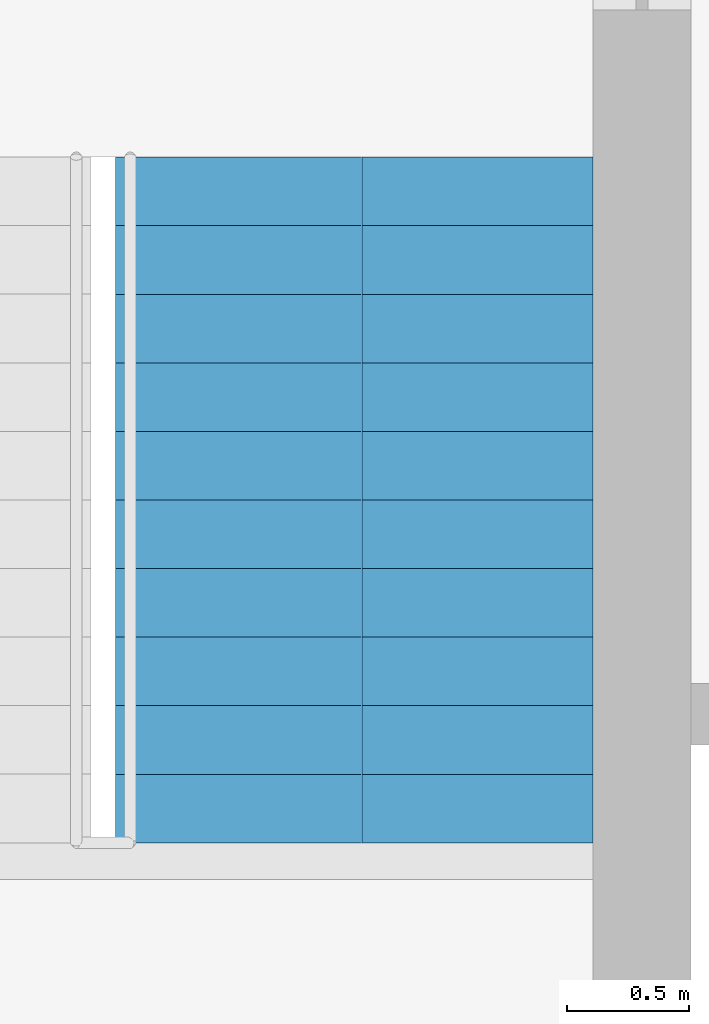
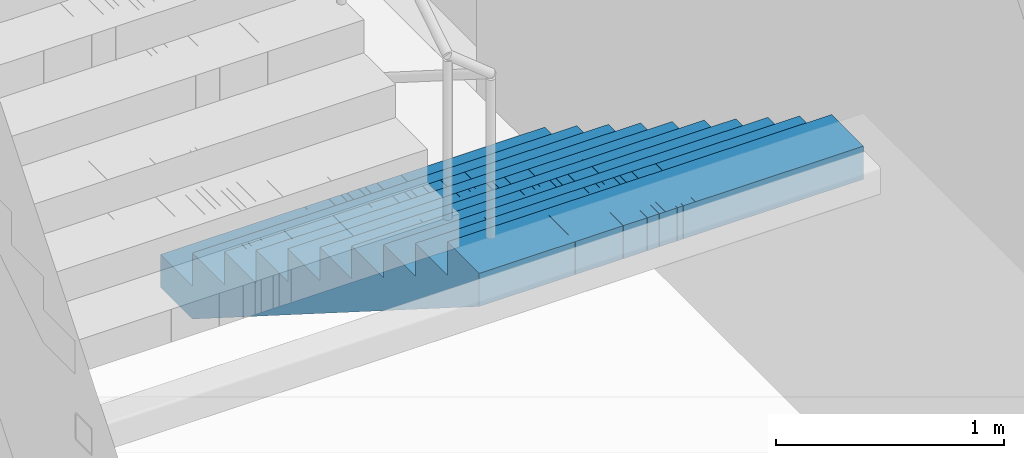
# One storey, part 19 of 20: 1 stair flight, 1 element without a shape of its own.
"""IFC4 building model written with IfcOpenShell, lengths in metres."""

import ifcopenshell
import ifcopenshell.guid

model = None  # the IFC model being written
_history = None  # IfcOwnerHistory: only IFC2X3 demands one
_inside = {}  # id of a spatial element -> (the spatial element, [elements in it])
_under = {}  # id of a project, library or spatial element -> (it, [spatial elements below it])
_declared = {}  # id of a project -> (the project, [libraries it declares])
_typed = {}  # id of a type object -> (the type object, [elements of that type])
_made_of = {}  # id of a material, layer set ... -> (it, [elements and type objects made of it])


def new_model(schema):
    """Start an empty IFC model of exactly this schema.

    Asked for "IFC4X3", IfcOpenShell would pick the latest addendum, in which some entities
    have other attributes; the version numbers below select the first issue.
    IFC2X3 requires an IfcOwnerHistory on every rooted entity: one is made here for all.
    """
    global model, _history
    if schema == "IFC4X3":
        model = ifcopenshell.file(schema_version=(4, 3, 0, 0))
    else:
        model = ifcopenshell.file(schema=schema)
    _inside.clear()
    _under.clear()
    _declared.clear()
    _typed.clear()
    _made_of.clear()
    _history = None
    if model.schema == "IFC2X3":
        org = make("IfcOrganization", Name="unknown")
        user = make(
            "IfcPersonAndOrganization",
            ThePerson=make("IfcPerson", FamilyName="unknown"),
            TheOrganization=org,
        )
        app = make(
            "IfcApplication",
            ApplicationDeveloper=org,
            Version="unknown",
            ApplicationFullName="unknown",
            ApplicationIdentifier="unknown",
        )
        _history = make(
            "IfcOwnerHistory",
            OwningUser=user,
            OwningApplication=app,
            ChangeAction="ADDED",
            CreationDate=0,
        )
    return model


def make(cls, **values):
    """One entity of the class cls with the attributes given. An attribute that is None is left unset."""
    return model.create_entity(
        cls, **{name: value for name, value in values.items() if value is not None}
    )


def rooted(cls, **values):
    """An entity with a GlobalId (a new one), such as an element, a storey or a relation."""
    return make(cls, GlobalId=ifcopenshell.guid.new(), OwnerHistory=_history, **values)


def si_unit(unit_type, name, prefix=None):
    """IfcSIUnit, for example si_unit("LENGTHUNIT", "METRE", prefix="MILLI")."""
    return make("IfcSIUnit", UnitType=unit_type, Prefix=prefix, Name=name)


def assignment(units):
    """IfcUnitAssignment: the units of a project."""
    return None if units is None else make("IfcUnitAssignment", Units=units)


def point(xyz):
    """IfcCartesianPoint."""
    return None if xyz is None else make("IfcCartesianPoint", Coordinates=xyz)


def direction(xyz):
    """IfcDirection."""
    return None if xyz is None else make("IfcDirection", DirectionRatios=xyz)


def frame(location, z_axis=None, x_axis=None):
    """IfcAxis2Placement3D, a coordinate frame: its origin and axes. An axis left out is left unset."""
    return make(
        "IfcAxis2Placement3D",
        Location=point(location),
        Axis=direction(z_axis),
        RefDirection=direction(x_axis),
    )


def origin():
    """The frame at (0, 0, 0) with its axes left unset."""
    return frame((0.0, 0.0, 0.0))


def place(relative_to, where):
    """IfcLocalPlacement: puts the frame where relative to a parent placement (None: the world)."""
    return make(
        "IfcLocalPlacement", PlacementRelTo=relative_to, RelativePlacement=where
    )


def context(
    kind, dimensions, precision=None, world=None, true_north=None, identifier=None
):
    """IfcGeometricRepresentationContext, for example the 3D "Model" context."""
    return make(
        "IfcGeometricRepresentationContext",
        ContextIdentifier=identifier,
        ContextType=kind,
        CoordinateSpaceDimension=dimensions,
        Precision=precision,
        WorldCoordinateSystem=world,
        TrueNorth=true_north,
    )


def subcontext(parent, identifier, kind, view, scale=None):
    """IfcGeometricRepresentationSubContext, for example "Body" below "Model"."""
    return make(
        "IfcGeometricRepresentationSubContext",
        ContextIdentifier=identifier,
        ContextType=kind,
        ParentContext=parent,
        TargetScale=scale,
        TargetView=view,
    )


def project(units=None, contexts=None):
    """IfcProject with its units and contexts."""
    return rooted(
        "IfcProject",
        Name="project",
        RepresentationContexts=contexts,
        UnitsInContext=assignment(units),
    )


def spatial(cls, under=None, at=None, **own):
    """A site, building, storey or space (cls), placed at a placement, below another one or the project."""
    s = rooted(cls, ObjectPlacement=at, **own)
    if under is not None:
        _under.setdefault(under.id(), (under, []))[1].append(s)
    return s


def polyline(points):
    """IfcPolyline through the points."""
    return make("IfcPolyline", Points=[point(p) for p in points])


def outline(outer, holes=None, kind="AREA"):
    """IfcArbitraryClosedProfileDef: a profile drawn as a closed curve; with holes, ...WithVoids."""
    if holes is None:
        return make("IfcArbitraryClosedProfileDef", ProfileType=kind, OuterCurve=outer)
    return make(
        "IfcArbitraryProfileDefWithVoids",
        ProfileType=kind,
        OuterCurve=outer,
        InnerCurves=holes,
    )


def extrude(swept, where, along, depth):
    """IfcExtrudedAreaSolid: the profile swept, set in the frame where, extruded along a direction by depth."""
    return make(
        "IfcExtrudedAreaSolid",
        SweptArea=swept,
        Position=where,
        ExtrudedDirection=direction(along),
        Depth=depth,
    )


def shape(context_of_items, identifier, shape_type, items):
    """IfcShapeRepresentation: the items that make up one representation, for example the "Body"."""
    return make(
        "IfcShapeRepresentation",
        ContextOfItems=context_of_items,
        RepresentationIdentifier=identifier,
        RepresentationType=shape_type,
        Items=items,
    )


def material(Name=None, Category=None):
    """IfcMaterial."""
    return make("IfcMaterial", Name=Name, Category=Category)


def made_of(thing, what):
    """Note that an element or type object is made of a material, layer set ...; save() writes the relation."""
    if what is not None:
        _made_of.setdefault(what.id(), (what, []))[1].append(thing)
    return thing


def type_object(cls, material=None, **own):
    """A type object (cls), such as IfcWallType, which elements share."""
    return made_of(rooted(cls, **own), material)


def element(
    cls,
    number,
    at=None,
    inside=None,
    cuts=None,
    type_object=None,
    material=None,
    context=None,
    identifier="Body",
    shape_type=None,
    held_by="IfcProductDefinitionShape",
    body=None,
    shapes=None,
    **own,
):
    """One element of the class cls, such as IfcWall. Its Tag is "e" and its number.

    at: its placement. inside: the storey or other place that contains it. cuts: it is an
    opening in that element (IfcRelVoidsElement). A single representation is given by context,
    identifier, shape_type and body (its items); several are given by shapes. held_by: the class
    of the entity that holds the representations. save() writes the other relations.
    """
    e = rooted(cls, Tag="e%d" % number, ObjectPlacement=at, **own)
    if body is not None:
        shapes = [shape(context, identifier, shape_type, body)]
    if shapes is not None:
        e.Representation = make(held_by, Representations=shapes)
    if inside is not None:
        _inside.setdefault(inside.id(), (inside, []))[1].append(e)
    if cuts is not None:
        rooted(
            "IfcRelVoidsElement", RelatingBuildingElement=cuts, RelatedOpeningElement=e
        )
    if type_object is not None:
        _typed.setdefault(type_object.id(), (type_object, []))[1].append(e)
    return made_of(e, material)


def aggregate(whole, parts):
    """IfcRelAggregates: a whole, such as a stair, and the parts it consists of."""
    return rooted("IfcRelAggregates", RelatingObject=whole, RelatedObjects=parts)


def save(model, path):
    """Write the relations noted so far, then the file.

    IfcRelAggregates (storeys below a building ...), IfcRelContainedInSpatialStructure (elements
    in a storey), IfcRelDefinesByType, IfcRelAssociatesMaterial and IfcRelDeclares: one each for
    every whole, place, type object, material and project.
    """
    for whole, parts in _under.values():
        aggregate(whole, parts)
    for where, things in _inside.values():
        rooted(
            "IfcRelContainedInSpatialStructure",
            RelatedElements=things,
            RelatingStructure=where,
        )
    for kind, things in _typed.values():
        rooted("IfcRelDefinesByType", RelatedObjects=things, RelatingType=kind)
    for what, things in _made_of.values():
        rooted("IfcRelAssociatesMaterial", RelatedObjects=things, RelatingMaterial=what)
    for by, libraries in _declared.values():
        rooted("IfcRelDeclares", RelatingContext=by, RelatedDefinitions=libraries)
    model.write(path)


model = new_model("IFC4")

# Units and contexts
model_context = context("Model", 3, precision=1e-05, world=origin(), true_north=direction((0.0, 1.0)))
body_context = subcontext(model_context, "Body", "Model", "MODEL_VIEW")
ifc_project = project(units=[si_unit("LENGTHUNIT", "METRE"), si_unit("AREAUNIT", "SQUARE_METRE"), si_unit("VOLUMEUNIT", "CUBIC_METRE"), si_unit("PLANEANGLEUNIT", "RADIAN"), si_unit("MASSUNIT", "GRAM", prefix="KILO")], contexts=[model_context])

# Site, building, storey
site_placement = place(None, origin())
site = spatial("IfcSite", under=ifc_project, at=site_placement, CompositionType="ELEMENT")
building_placement = place(site_placement, origin())
building = spatial("IfcBuilding", under=site, at=building_placement, Name="Mizan Broadcast Tower", CompositionType="ELEMENT")
storey_placement = place(building_placement, frame((0.0, 0.0, 139.800048828125)))
storey = spatial("IfcBuildingStorey", under=building, at=storey_placement, Name="L31", CompositionType="ELEMENT", Elevation=139.800048828125)

# Stair, stair flight
ifc_material_1 = material(Name="Concrete C40/50", Category="concrete")
stair_type = type_object("IfcStairType", Name="EXIT STAIR", PredefinedType="HALF_TURN_STAIR", material=ifc_material_1)
stair_placement = place(storey_placement, origin())
stair = element("IfcStair", 1, at=stair_placement, inside=storey, type_object=stair_type, Name="Stair B L31", PredefinedType="HALF_TURN_STAIR")
ifc_material_2 = material(Name="Concrete C40/50", Category="concrete")
stair_flight_type = type_object("IfcStairFlightType", Name="EXIT STAIR FLIGHT", PredefinedType="STRAIGHT", material=ifc_material_2)
stair_flight_placement = place(storey_placement, frame((1.02490234375, 7.89990234375, 0.0), z_axis=(0.0, 0.0, 1.0), x_axis=(0.0, -1.0, 0.0)))
stair_flight = element("IfcStairFlight", 2, at=stair_flight_placement, type_object=stair_flight_type, Name="B flight 1", NumberOfRisers=11, NumberOfTreads=10, PredefinedType="STRAIGHT", RiserHeight=0.177272727, TreadLength=0.28, context=body_context, shape_type="SweptSolid", body=[
    extrude(outline(polyline([(0.0, 0.0), (0.0, 0.17724609375), (0.280029296875, 0.17724609375), (0.280029296875, 0.3544921875), (0.56005859375, 0.3544921875), (0.56005859375, 0.53173828125), (0.840087890625, 0.53173828125), (0.840087890625, 0.708984375), (1.1201171875, 0.708984375), (1.1201171875, 0.886474609375), (1.39990234375, 0.886474609375), (1.39990234375, 1.063720703125), (1.679931640625, 1.063720703125), (1.679931640625, 1.240966796875), (1.9599609375, 1.240966796875), (1.9599609375, 1.418212890625), (2.239990234375, 1.418212890625), (2.239990234375, 1.595458984375), (2.52001953125, 1.595458984375), (2.52001953125, 1.772705078125), (2.800048828125, 1.772705078125), (2.800048828125, 1.949951171875), (2.800048828125, 1.59521484375), (0.2802734375, 0.0), (0.0, 0.0)])), frame((0.0, 0.97509765625, 0.0), z_axis=(0.0, -1.0, 0.0), x_axis=(1.0, 0.0, 0.0)), (0.0, 0.0, 1.0), 0.4873046875),
    extrude(outline(polyline([(0.0, 0.0), (0.0, 0.17724609375), (0.280029296875, 0.17724609375), (0.280029296875, 0.3544921875), (0.56005859375, 0.3544921875), (0.56005859375, 0.53173828125), (0.840087890625, 0.53173828125), (0.840087890625, 0.708984375), (1.1201171875, 0.708984375), (1.1201171875, 0.886474609375), (1.39990234375, 0.886474609375), (1.39990234375, 1.063720703125), (1.679931640625, 1.063720703125), (1.679931640625, 1.240966796875), (1.9599609375, 1.240966796875), (1.9599609375, 1.418212890625), (2.239990234375, 1.418212890625), (2.239990234375, 1.595458984375), (2.52001953125, 1.595458984375), (2.52001953125, 1.772705078125), (2.800048828125, 1.772705078125), (2.800048828125, 1.949951171875), (2.800048828125, 1.59521484375), (0.2802734375, 0.0), (0.0, 0.0)])), frame((0.0, 0.4873046875, 0.0), z_axis=(0.0, -1.0, 0.0), x_axis=(1.0, 0.0, 0.0)), (0.0, 0.0, 1.0), 0.2431640625),
    extrude(outline(polyline([(0.0, 0.0), (0.0, 0.17724609375), (0.280029296875, 0.17724609375), (0.280029296875, 0.3544921875), (0.56005859375, 0.3544921875), (0.56005859375, 0.53173828125), (0.840087890625, 0.53173828125), (0.840087890625, 0.708984375), (1.1201171875, 0.708984375), (1.1201171875, 0.886474609375), (1.39990234375, 0.886474609375), (1.39990234375, 1.063720703125), (1.679931640625, 1.063720703125), (1.679931640625, 1.240966796875), (1.9599609375, 1.240966796875), (1.9599609375, 1.418212890625), (2.239990234375, 1.418212890625), (2.239990234375, 1.595458984375), (2.52001953125, 1.595458984375), (2.52001953125, 1.772705078125), (2.800048828125, 1.772705078125), (2.800048828125, 1.949951171875), (2.800048828125, 1.59521484375), (0.2802734375, 0.0), (0.0, 0.0)])), frame((0.0, 0.24365234375, 0.0), z_axis=(0.0, -1.0, 0.0), x_axis=(1.0, 0.0, 0.0)), (0.0, 0.0, 1.0), 0.121337890625),
    extrude(outline(polyline([(0.0, 0.0), (0.0, 0.17724609375), (0.280029296875, 0.17724609375), (0.280029296875, 0.3544921875), (0.56005859375, 0.3544921875), (0.56005859375, 0.53173828125), (0.840087890625, 0.53173828125), (0.840087890625, 0.708984375), (1.1201171875, 0.708984375), (1.1201171875, 0.886474609375), (1.39990234375, 0.886474609375), (1.39990234375, 1.063720703125), (1.679931640625, 1.063720703125), (1.679931640625, 1.240966796875), (1.9599609375, 1.240966796875), (1.9599609375, 1.418212890625), (2.239990234375, 1.418212890625), (2.239990234375, 1.595458984375), (2.52001953125, 1.595458984375), (2.52001953125, 1.772705078125), (2.800048828125, 1.772705078125), (2.800048828125, 1.949951171875), (2.800048828125, 1.59521484375), (0.2802734375, 0.0), (0.0, 0.0)])), frame((0.0, 0.121826171875, 0.0), z_axis=(0.0, -1.0, 0.0), x_axis=(1.0, 0.0, 0.0)), (0.0, 0.0, 1.0), 0.060546875),
    extrude(outline(polyline([(0.0, 0.0), (0.0, 0.17724609375), (0.280029296875, 0.17724609375), (0.280029296875, 0.3544921875), (0.56005859375, 0.3544921875), (0.56005859375, 0.53173828125), (0.840087890625, 0.53173828125), (0.840087890625, 0.708984375), (1.1201171875, 0.708984375), (1.1201171875, 0.886474609375), (1.39990234375, 0.886474609375), (1.39990234375, 1.063720703125), (1.679931640625, 1.063720703125), (1.679931640625, 1.240966796875), (1.9599609375, 1.240966796875), (1.9599609375, 1.418212890625), (2.239990234375, 1.418212890625), (2.239990234375, 1.595458984375), (2.52001953125, 1.595458984375), (2.52001953125, 1.772705078125), (2.800048828125, 1.772705078125), (2.800048828125, 1.949951171875), (2.800048828125, 1.59521484375), (0.2802734375, 0.0), (0.0, 0.0)])), frame((0.0, 0.060791015625, 0.0), z_axis=(0.0, -1.0, 0.0), x_axis=(1.0, 0.0, 0.0)), (0.0, 0.0, 1.0), 0.030029296875),
    extrude(outline(polyline([(0.0, 0.0), (0.0, 0.17724609375), (0.280029296875, 0.17724609375), (0.280029296875, 0.3544921875), (0.56005859375, 0.3544921875), (0.56005859375, 0.53173828125), (0.840087890625, 0.53173828125), (0.840087890625, 0.708984375), (1.1201171875, 0.708984375), (1.1201171875, 0.886474609375), (1.39990234375, 0.886474609375), (1.39990234375, 1.063720703125), (1.679931640625, 1.063720703125), (1.679931640625, 1.240966796875), (1.9599609375, 1.240966796875), (1.9599609375, 1.418212890625), (2.239990234375, 1.418212890625), (2.239990234375, 1.595458984375), (2.52001953125, 1.595458984375), (2.52001953125, 1.772705078125), (2.800048828125, 1.772705078125), (2.800048828125, 1.949951171875), (2.800048828125, 1.59521484375), (0.2802734375, 0.0), (0.0, 0.0)])), frame((0.0, 0.0302734375, 0.0), z_axis=(0.0, -1.0, 0.0), x_axis=(1.0, 0.0, 0.0)), (0.0, 0.0, 1.0), 0.060302734375),
    extrude(outline(polyline([(0.0, 0.0), (0.0, 0.17724609375), (0.280029296875, 0.17724609375), (0.280029296875, 0.3544921875), (0.56005859375, 0.3544921875), (0.56005859375, 0.53173828125), (0.840087890625, 0.53173828125), (0.840087890625, 0.708984375), (1.1201171875, 0.708984375), (1.1201171875, 0.886474609375), (1.39990234375, 0.886474609375), (1.39990234375, 1.063720703125), (1.679931640625, 1.063720703125), (1.679931640625, 1.240966796875), (1.9599609375, 1.240966796875), (1.9599609375, 1.418212890625), (2.239990234375, 1.418212890625), (2.239990234375, 1.595458984375), (2.52001953125, 1.595458984375), (2.52001953125, 1.772705078125), (2.800048828125, 1.772705078125), (2.800048828125, 1.949951171875), (2.800048828125, 1.59521484375), (0.2802734375, 0.0), (0.0, 0.0)])), frame((0.0, -0.030517578125, 0.0), z_axis=(0.0, -1.0, 0.0), x_axis=(1.0, 0.0, 0.0)), (0.0, 0.0, 1.0), 0.030029296875),
    extrude(outline(polyline([(0.0, 0.0), (0.0, 0.17724609375), (0.280029296875, 0.17724609375), (0.280029296875, 0.3544921875), (0.56005859375, 0.3544921875), (0.56005859375, 0.53173828125), (0.840087890625, 0.53173828125), (0.840087890625, 0.708984375), (1.1201171875, 0.708984375), (1.1201171875, 0.886474609375), (1.39990234375, 0.886474609375), (1.39990234375, 1.063720703125), (1.679931640625, 1.063720703125), (1.679931640625, 1.240966796875), (1.9599609375, 1.240966796875), (1.9599609375, 1.418212890625), (2.239990234375, 1.418212890625), (2.239990234375, 1.595458984375), (2.52001953125, 1.595458984375), (2.52001953125, 1.772705078125), (2.800048828125, 1.772705078125), (2.800048828125, 1.949951171875), (2.800048828125, 1.59521484375), (0.2802734375, 0.0), (0.0, 0.0)])), frame((0.0, -0.06103515625, 0.0), z_axis=(0.0, -1.0, 0.0), x_axis=(1.0, 0.0, 0.0)), (0.0, 0.0, 1.0), 0.060546875),
    extrude(outline(polyline([(0.0, 0.0), (0.0, 0.17724609375), (0.280029296875, 0.17724609375), (0.280029296875, 0.3544921875), (0.56005859375, 0.3544921875), (0.56005859375, 0.53173828125), (0.840087890625, 0.53173828125), (0.840087890625, 0.708984375), (1.1201171875, 0.708984375), (1.1201171875, 0.886474609375), (1.39990234375, 0.886474609375), (1.39990234375, 1.063720703125), (1.679931640625, 1.063720703125), (1.679931640625, 1.240966796875), (1.9599609375, 1.240966796875), (1.9599609375, 1.418212890625), (2.239990234375, 1.418212890625), (2.239990234375, 1.595458984375), (2.52001953125, 1.595458984375), (2.52001953125, 1.772705078125), (2.800048828125, 1.772705078125), (2.800048828125, 1.949951171875), (2.800048828125, 1.59521484375), (0.2802734375, 0.0), (0.0, 0.0)])), frame((0.0, -0.1220703125, 0.0), z_axis=(0.0, -1.0, 0.0), x_axis=(1.0, 0.0, 0.0)), (0.0, 0.0, 1.0), 0.121337890625),
    extrude(outline(polyline([(0.0, 0.0), (0.0, 0.17724609375), (0.280029296875, 0.17724609375), (0.280029296875, 0.3544921875), (0.56005859375, 0.3544921875), (0.56005859375, 0.53173828125), (0.840087890625, 0.53173828125), (0.840087890625, 0.708984375), (1.1201171875, 0.708984375), (1.1201171875, 0.886474609375), (1.39990234375, 0.886474609375), (1.39990234375, 1.063720703125), (1.679931640625, 1.063720703125), (1.679931640625, 1.240966796875), (1.9599609375, 1.240966796875), (1.9599609375, 1.418212890625), (2.239990234375, 1.418212890625), (2.239990234375, 1.595458984375), (2.52001953125, 1.595458984375), (2.52001953125, 1.772705078125), (2.800048828125, 1.772705078125), (2.800048828125, 1.949951171875), (2.800048828125, 1.59521484375), (0.2802734375, 0.0), (0.0, 0.0)])), frame((0.0, -0.243896484375, 0.0), z_axis=(0.0, -1.0, 0.0), x_axis=(1.0, 0.0, 0.0)), (0.0, 0.0, 1.0), 0.2431640625),
    extrude(outline(polyline([(0.0, 0.0), (0.0, 0.17724609375), (0.280029296875, 0.17724609375), (0.280029296875, 0.3544921875), (0.56005859375, 0.3544921875), (0.56005859375, 0.53173828125), (0.840087890625, 0.53173828125), (0.840087890625, 0.708984375), (1.1201171875, 0.708984375), (1.1201171875, 0.886474609375), (1.39990234375, 0.886474609375), (1.39990234375, 1.063720703125), (1.679931640625, 1.063720703125), (1.679931640625, 1.240966796875), (1.9599609375, 1.240966796875), (1.9599609375, 1.418212890625), (2.239990234375, 1.418212890625), (2.239990234375, 1.595458984375), (2.52001953125, 1.595458984375), (2.52001953125, 1.772705078125), (2.800048828125, 1.772705078125), (2.800048828125, 1.949951171875), (2.800048828125, 1.59521484375), (0.2802734375, 0.0), (0.0, 0.0)])), frame((0.0, -0.487548828125, 0.0), z_axis=(0.0, -1.0, 0.0), x_axis=(1.0, 0.0, 0.0)), (0.0, 0.0, 1.0), 0.4873046875),
])
aggregate(stair, [stair_flight])

save(model, "model.ifc")
